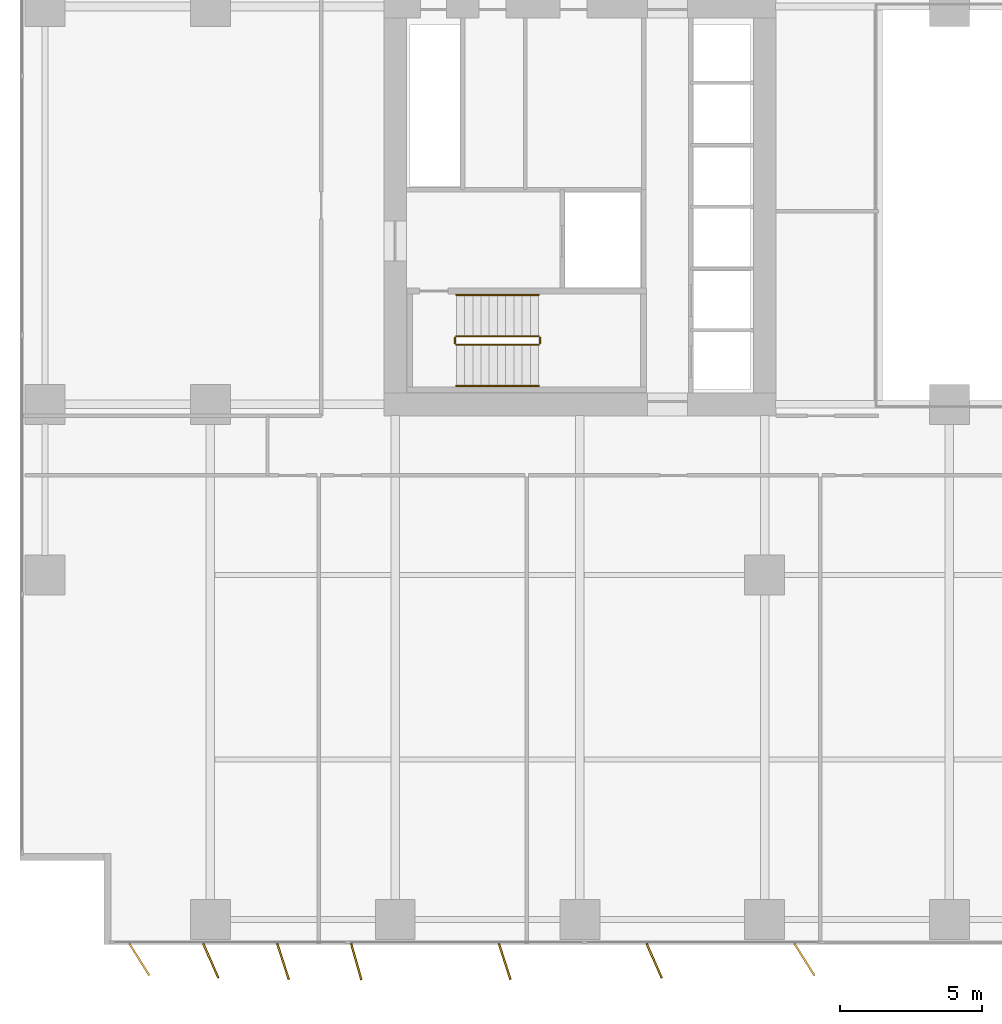
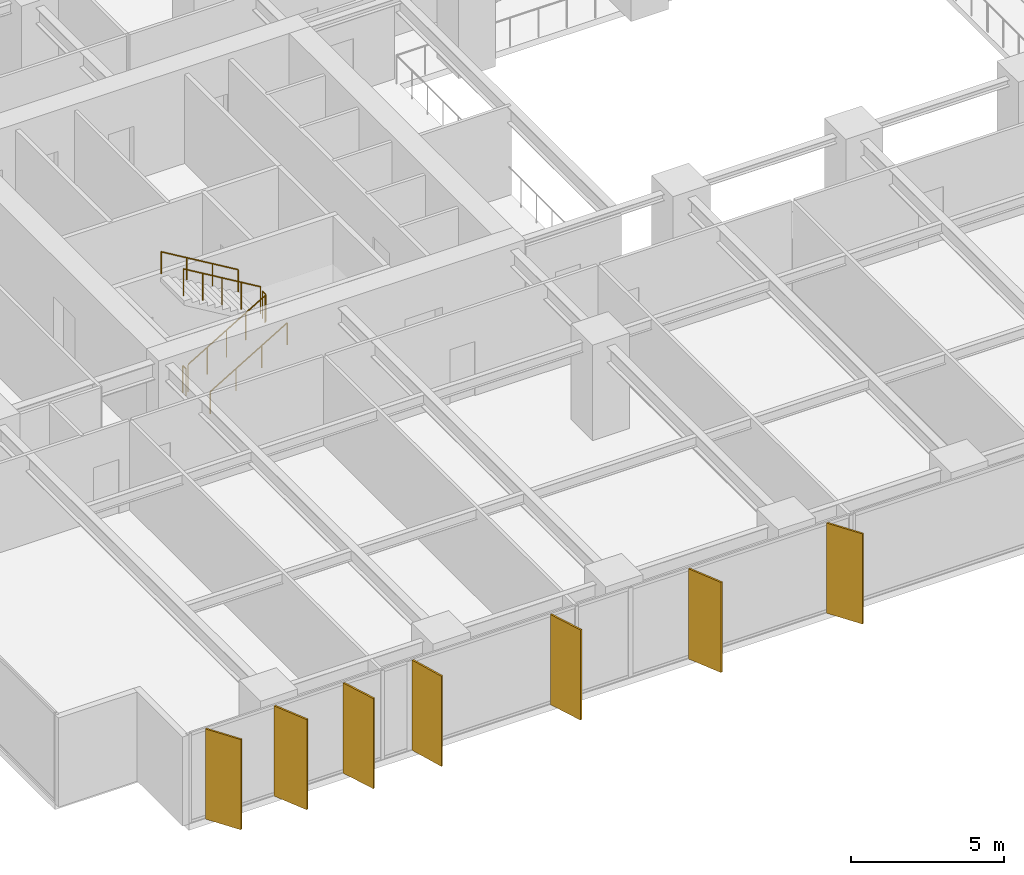
# One storey, part 17 of 20: 7 shading devices, 6 railings.
"""IFC4 building model written with IfcOpenShell, lengths in metres."""

from ifc_helpers import new_model, si_unit, direction, frame, origin, origin_2d, place, context, subcontext, project, spatial, rectangle, circle, extrude, material, layer, layer_set, type_object, element, save


model = new_model("IFC4")

# Units and contexts
model_context = context("Model", 3, precision=1e-05, world=origin(), true_north=direction((0.0, 1.0)))
body_context = subcontext(model_context, "Body", "Model", "MODEL_VIEW")
ifc_project = project(units=[si_unit("LENGTHUNIT", "METRE"), si_unit("AREAUNIT", "SQUARE_METRE"), si_unit("VOLUMEUNIT", "CUBIC_METRE"), si_unit("PLANEANGLEUNIT", "RADIAN"), si_unit("MASSUNIT", "GRAM", prefix="KILO")], contexts=[model_context])

# Site, building, storey
site_placement = place(None, origin())
site = spatial("IfcSite", under=ifc_project, at=site_placement, CompositionType="ELEMENT")
building_placement = place(site_placement, origin())
building = spatial("IfcBuilding", under=site, at=building_placement, Name="Putna Gate Headquarters", CompositionType="ELEMENT")
storey_placement = place(building_placement, frame((0.0, 0.0, 69.60009765625)))
storey = spatial("IfcBuildingStorey", under=building, at=storey_placement, Name="L16", CompositionType="ELEMENT", Elevation=69.60009765625)

# Railings
ifc_material_1 = material(Name="Powder-coated steel stair guardrail", Category="steel")
railing_type_1 = type_object("IfcRailingType", Name="RAIL-STAIR-GUARD-1100", PredefinedType="GUARDRAIL", material=ifc_material_1)
railing_1_placement = place(storey_placement, frame((15.14990234375, 21.10009765625, 0.172607421875)))
element("IfcRailing", 1, at=railing_1_placement, inside=storey, type_object=railing_type_1, Name="L16 ST1 stair guard 1", PredefinedType="GUARDRAIL", context=body_context, shape_type="SweptSolid", body=[
    extrude(circle(Radius=0.02392578125, at=origin_2d()), frame((0.0, 0.0, 1.076171875), z_axis=(0.859160404282, 0.0, 0.51170636083), x_axis=(0.0, 1.0, 0.0)), (0.0, 0.0, 1.0), 3.37548828125),
    extrude(circle(Radius=0.02099609375, at=origin_2d()), origin(), (0.0, 0.0, 1.0), 1.052001953125),
    extrude(circle(Radius=0.02099609375, at=origin_2d()), frame((0.72509765625, 0.0, 0.431884765625)), (0.0, 0.0, 1.0), 1.052001953125),
    extrude(circle(Radius=0.02099609375, at=origin_2d()), frame((1.4501953125, 0.0, 0.86376953125)), (0.0, 0.0, 1.0), 1.052001953125),
    extrude(circle(Radius=0.02099609375, at=origin_2d()), frame((2.175048828125, 0.0, 1.29541015625)), (0.0, 0.0, 1.0), 1.052001953125),
    extrude(circle(Radius=0.02099609375, at=origin_2d()), frame((2.900146484375, 0.0, 1.727294921875)), (0.0, 0.0, 1.0), 1.052001953125),
])
railing_2_placement = place(storey_placement, frame((18.10009765625, 21.14990234375, 1.89990234375)))
element("IfcRailing", 2, at=railing_2_placement, inside=storey, type_object=railing_type_1, Name="L16 ST1 stair guard 2", PredefinedType="GUARDRAIL", context=body_context, shape_type="SweptSolid", body=[
    extrude(circle(Radius=0.02392578125, at=origin_2d()), frame((0.0, 0.0, 1.076171875), z_axis=(0.0, 1.0, 0.0), x_axis=(-1.0, 0.0, 0.0)), (0.0, 0.0, 1.0), 0.2001953125),
    extrude(circle(Radius=0.02099609375, at=origin_2d()), origin(), (0.0, 0.0, 1.0), 1.052001953125),
    extrude(circle(Radius=0.02099609375, at=origin_2d()), frame((0.0, 0.2001953125, 0.0)), (0.0, 0.0, 1.0), 1.052001953125),
])
railing_3_placement = place(storey_placement, frame((18.050048828125, 21.39990234375, 2.072509765625)))
element("IfcRailing", 3, at=railing_3_placement, inside=storey, type_object=railing_type_1, Name="L16 ST1 stair guard 3", PredefinedType="GUARDRAIL", context=body_context, shape_type="SweptSolid", body=[
    extrude(circle(Radius=0.02392578125, at=origin_2d()), frame((0.0, 0.0, 1.076171875), z_axis=(-0.859160404282, 0.0, 0.51170636083), x_axis=(0.0, -1.0, 0.0)), (0.0, 0.0, 1.0), 3.37548828125),
    extrude(circle(Radius=0.02099609375, at=origin_2d()), origin(), (0.0, 0.0, 1.0), 1.052001953125),
    extrude(circle(Radius=0.02099609375, at=origin_2d()), frame((-0.72509765625, 0.0, 0.431884765625)), (0.0, 0.0, 1.0), 1.052001953125),
    extrude(circle(Radius=0.02099609375, at=origin_2d()), frame((-1.4501953125, 0.0, 0.86376953125)), (0.0, 0.0, 1.0), 1.052001953125),
    extrude(circle(Radius=0.02099609375, at=origin_2d()), frame((-2.175048828125, 0.0, 1.29541015625)), (0.0, 0.0, 1.0), 1.052001953125),
    extrude(circle(Radius=0.02099609375, at=origin_2d()), frame((-2.900146484375, 0.0, 1.727294921875)), (0.0, 0.0, 1.0), 1.052001953125),
])
railing_4_placement = place(storey_placement, frame((15.10009765625, 21.14990234375, 0.0)))
element("IfcRailing", 4, at=railing_4_placement, inside=storey, type_object=railing_type_1, Name="L16 ST1 stair guard 4", PredefinedType="GUARDRAIL", context=body_context, shape_type="SweptSolid", body=[
    extrude(circle(Radius=0.02392578125, at=origin_2d()), frame((0.0, 0.0, 1.076171875), z_axis=(0.0, 1.0, 0.0), x_axis=(-1.0, 0.0, 0.0)), (0.0, 0.0, 1.0), 0.2001953125),
    extrude(circle(Radius=0.02099609375, at=origin_2d()), origin(), (0.0, 0.0, 1.0), 1.052001953125),
    extrude(circle(Radius=0.02099609375, at=origin_2d()), frame((0.0, 0.2001953125, 0.0)), (0.0, 0.0, 1.0), 1.052001953125),
])
ifc_material_2 = material(Name="Brushed stainless steel handrail", Category="steel")
railing_type_2 = type_object("IfcRailingType", Name="RAIL-STAIR-HAND-900", PredefinedType="HANDRAIL", material=ifc_material_2)
railing_5_placement = place(storey_placement, frame((15.14990234375, 19.64990234375, 0.172607421875)))
element("IfcRailing", 5, at=railing_5_placement, inside=storey, type_object=railing_type_2, Name="L16 ST1 stair handrail 1", PredefinedType="HANDRAIL", context=body_context, shape_type="SweptSolid", body=[
    extrude(circle(Radius=0.02392578125, at=origin_2d()), frame((0.0, 0.0, 0.8759765625), z_axis=(0.859160404282, 0.0, 0.51170636083), x_axis=(0.0, 1.0, 0.0)), (0.0, 0.0, 1.0), 3.37548828125),
    extrude(circle(Radius=0.02099609375, at=origin_2d()), origin(), (0.0, 0.0, 1.0), 0.851806640625),
    extrude(circle(Radius=0.02099609375, at=origin_2d()), frame((0.966796875, 0.0, 0.57568359375)), (0.0, 0.0, 1.0), 0.851806640625),
    extrude(circle(Radius=0.02099609375, at=origin_2d()), frame((1.933349609375, 0.0, 1.151611328125)), (0.0, 0.0, 1.0), 0.851806640625),
    extrude(circle(Radius=0.02099609375, at=origin_2d()), frame((2.900146484375, 0.0, 1.727294921875)), (0.0, 0.0, 1.0), 0.851806640625),
])
railing_6_placement = place(storey_placement, frame((18.050048828125, 22.85009765625, 2.072509765625)))
element("IfcRailing", 6, at=railing_6_placement, inside=storey, type_object=railing_type_2, Name="L16 ST1 stair handrail 2", PredefinedType="HANDRAIL", context=body_context, shape_type="SweptSolid", body=[
    extrude(circle(Radius=0.02392578125, at=origin_2d()), frame((0.0, 0.0, 0.8759765625), z_axis=(-0.859160404282, 0.0, 0.51170636083), x_axis=(0.0, -1.0, 0.0)), (0.0, 0.0, 1.0), 3.37548828125),
    extrude(circle(Radius=0.02099609375, at=origin_2d()), origin(), (0.0, 0.0, 1.0), 0.851806640625),
    extrude(circle(Radius=0.02099609375, at=origin_2d()), frame((-0.966796875, 0.0, 0.57568359375)), (0.0, 0.0, 1.0), 0.851806640625),
    extrude(circle(Radius=0.02099609375, at=origin_2d()), frame((-1.933349609375, 0.0, 1.151611328125)), (0.0, 0.0, 1.0), 0.851806640625),
    extrude(circle(Radius=0.02099609375, at=origin_2d()), frame((-2.900146484375, 0.0, 1.727294921875)), (0.0, 0.0, 1.0), 0.851806640625),
])

# Shading devices
ifc_material_3 = material(Name="Anodised architectural bronze aluminium fin", Category="aluminium")
ifc_layer = layer(ifc_material_3, 0.06494140625)
ifc_layer_set = layer_set([ifc_layer], Name="Anodised architectural bronze aluminium fin")
shading_device_type = type_object("IfcShadingDeviceType", Name="SHADE-BRONZE-FIN-1320", PredefinedType="USERDEFINED", material=ifc_layer_set)
for number, where, z_axis, x_axis, name in (
    (7, (4.000244140625, -0.534423828125, -0.02001953125), (0.0, 0.0, 1.0), (0.530659123936, -0.847585331506, 0.0), "L16 Bronze Vertical Shading Fin S1"),
    (8, (6.514404296875, -0.57958984375, -0.02001953125), (0.0, 0.0, 1.0), (0.400668879095, -0.916222925562, 0.0), "L16 Bronze Vertical Shading Fin S2"),
    (9, (9.0537109375, -0.602783203125, -0.02001953125), (0.0, 0.0, 1.0), (0.308684994204, -0.951164325631, 0.0), "L16 Bronze Vertical Shading Fin S3"),
    (10, (11.6318359375, -0.609375, -0.02001953125), (0.0, 0.0, 1.0), (0.275637355817, -0.961261695938, 0.0), "L16 Bronze Vertical Shading Fin S4"),
    (11, (16.853759765625, -0.602783203125, -0.02001953125), (0.0, 0.0, 1.0), (0.308684994204, -0.951164325631, 0.0), "L16 Bronze Vertical Shading Fin S5"),
    (12, (22.114501953125, -0.57958984375, -0.02001953125), (0.0, 0.0, 1.0), (0.400668879095, -0.916222925562, 0.0), "L16 Bronze Vertical Shading Fin S6"),
    (13, (27.400146484375, -0.534423828125, -0.02001953125), (0.0, 0.0, 1.0), (0.530659123936, -0.847585331506, 0.0), "L16 Bronze Vertical Shading Fin S7"),
):
    element("IfcShadingDevice", number, at=place(storey_placement, frame(where, z_axis=z_axis, x_axis=x_axis)), inside=storey, type_object=shading_device_type, Name=name, ObjectType="FIN", PredefinedType="USERDEFINED", context=body_context, shape_type="SweptSolid", body=[
        extrude(rectangle(XDim=1.320068359375, YDim=0.06494140625, at=origin_2d()), origin(), (0.0, 0.0, 1.0), 3.590087890625),
    ])

save(model, "model.ifc")
